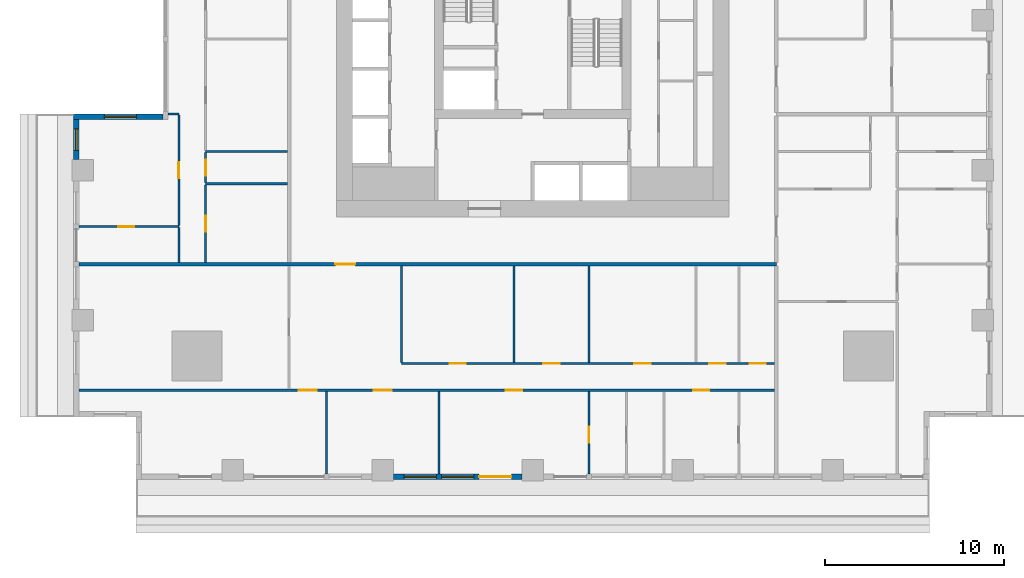
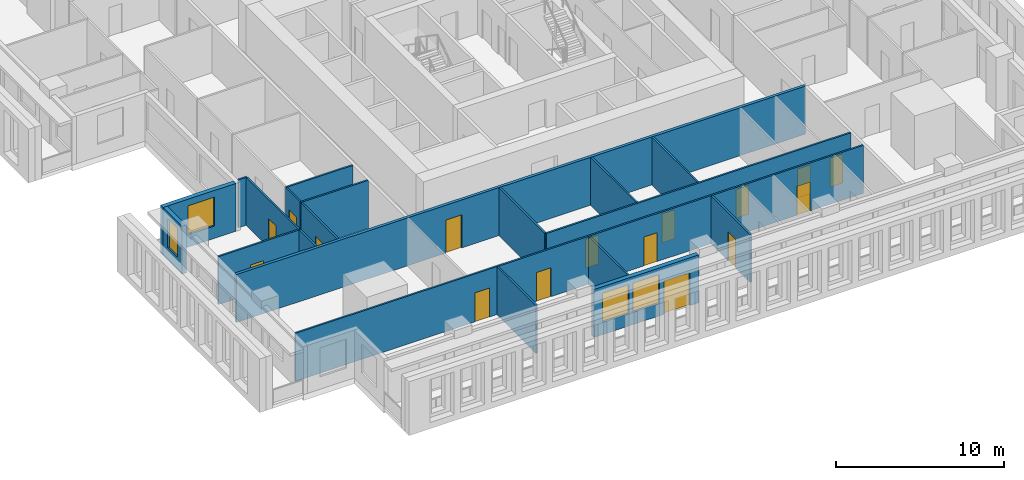
# One storey, part 2 of 14: 20 walls, 16 doors, 4 windows, 20 openings.
"""IFC4 building model written with IfcOpenShell, lengths in metres."""

from ifc_helpers import new_model, si_unit, direction, frame, frame_2d, origin, place, context, subcontext, project, spatial, rectangle, extrude, material, layer, layer_set, type_object, element, fill, save


model = new_model("IFC4")

# Units and contexts
model_context = context("Model", 3, precision=1e-05, world=origin(), true_north=direction((0.0, 1.0)))
body_context = subcontext(model_context, "Body", "Model", "MODEL_VIEW")
ifc_project = project(units=[si_unit("LENGTHUNIT", "METRE"), si_unit("AREAUNIT", "SQUARE_METRE"), si_unit("VOLUMEUNIT", "CUBIC_METRE"), si_unit("PLANEANGLEUNIT", "RADIAN"), si_unit("MASSUNIT", "GRAM", prefix="KILO")], contexts=[model_context])

# Site, building, storey
site_placement = place(None, origin())
site = spatial("IfcSite", under=ifc_project, at=site_placement, CompositionType="ELEMENT")
building_placement = place(site_placement, origin())
building = spatial("IfcBuilding", under=site, at=building_placement, Name="Khepri Terraces", CompositionType="ELEMENT")
storey_placement = place(building_placement, frame((0.0, 0.0, 90.89990234375)))
storey = spatial("IfcBuildingStorey", under=building, at=storey_placement, Name="L21", CompositionType="ELEMENT", Elevation=90.89990234375)

# Wall, opening, door
ifc_material_1 = material(Name="Fire-rated gypsum plasterboard partition, mineral wool")
ifc_layer_1 = layer(ifc_material_1, 0.199951171875, Name="Fire-rated gypsum plasterboard partition, mineral wool")
ifc_layer_set_1 = layer_set([ifc_layer_1], Name="Fire-rated gypsum plasterboard partition, mineral wool")
wall_type_1 = type_object("IfcWallType", Name="WL-CORR-200", PredefinedType="PARTITIONING", material=ifc_layer_set_1)
wall_1_placement = place(storey_placement, frame((-25.419921875, -13.64990234375, 0.0), z_axis=(0.0, 0.0, 1.0), x_axis=(1.0, 0.0, 0.0)))
wall_1 = element("IfcWall", 1, at=wall_1_placement, inside=storey, type_object=wall_type_1, Name="Partition P-019 L21", PredefinedType="PARTITIONING", context=body_context, shape_type="SweptSolid", body=[
    extrude(rectangle(XDim=39.06982421875, YDim=0.199951171875, at=frame_2d((19.534912109375, 0.0))), origin(), (0.0, 0.0, 1.0), 3.47998046875),
])
opening_1_placement = place(wall_1_placement, frame((14.3701171875, 0.0, 0.0)))
opening_1 = element("IfcOpeningElement", 2, at=opening_1_placement, cuts=wall_1, Name="Opening D1", PredefinedType="OPENING", context=body_context, shape_type="SweptSolid", body=[
    extrude(rectangle(XDim=1.10009765625, YDim=2.39990234375, at=frame_2d((0.550048828125, 1.199951171875))), frame((0.0, 0.10986328125, 0.0), z_axis=(0.0, -1.0, 0.0), x_axis=(1.0, 0.0, 0.0)), (0.0, 0.0, 1.0), 0.219970703125),
])
ifc_material_2 = material(Name="Solid-core timber door leaf, flat entrance door", Category="wood")
door_type_1 = type_object("IfcDoorType", Name="DR-ENT-1100", OperationType="NOTDEFINED", PredefinedType="DOOR", material=ifc_material_2)
door_1_placement = place(opening_1_placement, frame((1.10009765625, 0.0, 0.0), z_axis=(0.0, 0.0, 1.0), x_axis=(-1.0, 0.0, 0.0)))
door_1 = element("IfcDoor", 3, at=door_1_placement, inside=storey, type_object=door_type_1, Name="Flat A1 entrance door", OperationType="SINGLE_SWING_RIGHT", OverallHeight=2.39990234375, OverallWidth=1.10009765625, PredefinedType="DOOR", context=body_context, shape_type="SweptSolid", body=[
    extrude(rectangle(XDim=1.10009765625, YDim=2.39990234375, at=frame_2d((0.550048828125, 1.199951171875))), frame((0.0, 0.02490234375, 0.0), z_axis=(0.0, -1.0, 0.0), x_axis=(1.0, 0.0, 0.0)), (0.0, 0.0, 1.0), 0.050048828125),
])
fill(opening_1, door_1)

# Wall, opening, window
ifc_material_3 = material(Name="Precast concrete C50/60 warm stone", Category="masonry")
ifc_layer_2 = layer(ifc_material_3, 0.300048828125, Name="Precast concrete C50/60 warm stone", Category="masonry")
ifc_layer_set_2 = layer_set([ifc_layer_2], Name="Precast concrete C50/60 warm stone")
wall_type_2 = type_object("IfcWallType", Name="WL-EXT-PRECAST-300", PredefinedType="STANDARD", material=ifc_layer_set_2)
wall_2_placement = place(storey_placement, frame((-20.719970703125, -5.39990234375, 0.0), z_axis=(0.0, 0.0, 1.0), x_axis=(-1.0, 0.0, 0.0)))
wall_2 = element("IfcWall", 4, at=wall_2_placement, inside=storey, type_object=wall_type_2, Name="External wall L21 N", PredefinedType="STANDARD", context=body_context, shape_type="SweptSolid", body=[
    extrude(rectangle(XDim=5.0, YDim=0.300048828125, at=frame_2d((2.5, 0.0))), origin(), (0.0, 0.0, 1.0), 3.47998046875),
])
opening_2_placement = place(wall_2_placement, frame((1.47998046875, 0.0, 0.89990234375)))
opening_2 = element("IfcOpeningElement", 5, at=opening_2_placement, cuts=wall_2, Name="Opening W1", PredefinedType="OPENING", context=body_context, shape_type="SweptSolid", body=[
    extrude(rectangle(XDim=1.800048828125, YDim=2.10009765625, at=frame_2d((0.89990234375, 1.050048828125))), frame((0.0, 0.16015625, 0.0), z_axis=(0.0, -1.0, 0.0), x_axis=(1.0, 0.0, 0.0)), (0.0, 0.0, 1.0), 0.320068359375),
])
ifc_material_4 = material(Name="Clear glass", Category="glass")
window_type_1 = type_object("IfcWindowType", Name="WIN-RES-1800x2100", PartitioningType="SINGLE_PANEL", PredefinedType="WINDOW", material=ifc_material_4)
window_1_placement = place(opening_2_placement, origin())
window_1 = element("IfcWindow", 6, at=window_1_placement, inside=storey, type_object=window_type_1, Name="Window L21 N", OverallHeight=2.10009765625, OverallWidth=1.800048828125, PartitioningType="SINGLE_PANEL", PredefinedType="WINDOW", context=body_context, shape_type="SweptSolid", body=[
    extrude(rectangle(XDim=1.800048828125, YDim=2.10009765625, at=frame_2d((0.89990234375, 1.050048828125))), frame((0.0, 0.030029296875, 0.0), z_axis=(0.0, -1.0, 0.0), x_axis=(1.0, 0.0, 0.0)), (0.0, 0.0, 1.0), 0.06005859375),
])
fill(opening_2, window_1)

wall_3_placement = place(storey_placement, frame((-25.570068359375, -5.550048828125, 0.0), z_axis=(0.0, 0.0, 1.0), x_axis=(0.0, -1.0, 0.0)))
wall_3 = element("IfcWall", 7, at=wall_3_placement, inside=storey, type_object=wall_type_2, Name="External wall L21 W", PredefinedType="STANDARD", context=body_context, shape_type="SweptSolid", body=[
    extrude(rectangle(XDim=2.25, YDim=0.300048828125, at=frame_2d((1.125, 0.0))), origin(), (0.0, 0.0, 1.0), 3.47998046875),
])
opening_3_placement = place(wall_3_placement, frame((0.52490234375, 0.0, 0.89990234375)))
opening_3 = element("IfcOpeningElement", 8, at=opening_3_placement, cuts=wall_3, Name="Opening W4", PredefinedType="OPENING", context=body_context, shape_type="SweptSolid", body=[
    extrude(rectangle(XDim=1.199951171875, YDim=2.10009765625, at=frame_2d((0.60009765625, 1.050048828125))), frame((0.0, 0.16015625, 0.0), z_axis=(0.0, -1.0, 0.0), x_axis=(1.0, 0.0, 0.0)), (0.0, 0.0, 1.0), 0.320068359375),
])
window_type_2 = type_object("IfcWindowType", Name="WIN-RES-1200x2100", PartitioningType="SINGLE_PANEL", PredefinedType="WINDOW", material=ifc_material_4)
window_2_placement = place(opening_3_placement, origin())
window_2 = element("IfcWindow", 9, at=window_2_placement, inside=storey, type_object=window_type_2, Name="Window L21 W", OverallHeight=2.10009765625, OverallWidth=1.199951171875, PartitioningType="SINGLE_PANEL", PredefinedType="WINDOW", context=body_context, shape_type="SweptSolid", body=[
    extrude(rectangle(XDim=1.199951171875, YDim=2.10009765625, at=frame_2d((0.60009765625, 1.050048828125))), frame((0.0, 0.030029296875, 0.0), z_axis=(0.0, -1.0, 0.0), x_axis=(1.0, 0.0, 0.0)), (0.0, 0.0, 1.0), 0.06005859375),
])
fill(opening_3, window_2)

# Wall, openings, door, windows
wall_4_placement = place(storey_placement, frame((-7.800048828125, -25.570068359375, 0.0), z_axis=(0.0, 0.0, 1.0), x_axis=(1.0, 0.0, 0.0)))
wall_4 = element("IfcWall", 10, at=wall_4_placement, inside=storey, type_object=wall_type_2, Name="External wall L21 S", PredefinedType="STANDARD", context=body_context, shape_type="SweptSolid", body=[
    extrude(rectangle(XDim=7.199951171875, YDim=0.300048828125, at=frame_2d((3.60009765625, 0.0))), origin(), (0.0, 0.0, 1.0), 3.47998046875),
])
opening_4_placement = place(wall_4_placement, frame((0.60009765625, 0.0, 0.89990234375)))
opening_4 = element("IfcOpeningElement", 11, at=opening_4_placement, cuts=wall_4, Name="Opening W1", PredefinedType="OPENING", context=body_context, shape_type="SweptSolid", body=[
    extrude(rectangle(XDim=1.800048828125, YDim=2.10009765625, at=frame_2d((0.89990234375, 1.050048828125))), frame((0.0, 0.16015625, 0.0), z_axis=(0.0, -1.0, 0.0), x_axis=(1.0, 0.0, 0.0)), (0.0, 0.0, 1.0), 0.320068359375),
])
opening_5_placement = place(wall_4_placement, frame((2.699951171875, 0.0, 0.89990234375)))
opening_5 = element("IfcOpeningElement", 12, at=opening_5_placement, cuts=wall_4, Name="Opening W1", PredefinedType="OPENING", context=body_context, shape_type="SweptSolid", body=[
    extrude(rectangle(XDim=1.800048828125, YDim=2.10009765625, at=frame_2d((0.89990234375, 1.050048828125))), frame((0.0, 0.16015625, 0.0), z_axis=(0.0, -1.0, 0.0), x_axis=(1.0, 0.0, 0.0)), (0.0, 0.0, 1.0), 0.320068359375),
])
opening_6_placement = place(wall_4_placement, frame((4.800048828125, 0.0, 0.0)))
opening_6 = element("IfcOpeningElement", 13, at=opening_6_placement, cuts=wall_4, Name="Opening ED-L21-20", PredefinedType="OPENING", context=body_context, shape_type="SweptSolid", body=[
    extrude(rectangle(XDim=1.800048828125, YDim=2.39990234375, at=frame_2d((0.89990234375, 1.199951171875))), frame((0.0, 0.16015625, 0.0), z_axis=(0.0, -1.0, 0.0), x_axis=(1.0, 0.0, 0.0)), (0.0, 0.0, 1.0), 0.320068359375),
])
ifc_material_5 = material(Name="Anodised aluminium bronze glazed door", Category="aluminium")
door_type_2 = type_object("IfcDoorType", Name="DR-BAL-SLIDE-1800x2400", OperationType="NOTDEFINED", PredefinedType="DOOR", material=ifc_material_5)
door_2_placement = place(opening_6_placement, origin())
door_2 = element("IfcDoor", 14, at=door_2_placement, inside=storey, type_object=door_type_2, Name="Balcony door L21 S", OperationType="SLIDING_TO_RIGHT", OverallHeight=2.39990234375, OverallWidth=1.800048828125, PredefinedType="DOOR", context=body_context, shape_type="SweptSolid", body=[
    extrude(rectangle(XDim=1.800048828125, YDim=2.39990234375, at=frame_2d((0.89990234375, 1.199951171875))), frame((0.0, 0.02490234375, 0.0), z_axis=(0.0, -1.0, 0.0), x_axis=(1.0, 0.0, 0.0)), (0.0, 0.0, 1.0), 0.050048828125),
])
fill(opening_6, door_2)
window_3_placement = place(opening_4_placement, origin())
window_3 = element("IfcWindow", 15, at=window_3_placement, inside=storey, type_object=window_type_1, Name="Window L21 S", OverallHeight=2.10009765625, OverallWidth=1.800048828125, PartitioningType="SINGLE_PANEL", PredefinedType="WINDOW", context=body_context, shape_type="SweptSolid", body=[
    extrude(rectangle(XDim=1.800048828125, YDim=2.10009765625, at=frame_2d((0.89990234375, 1.050048828125))), frame((0.0, 0.030029296875, 0.0), z_axis=(0.0, -1.0, 0.0), x_axis=(1.0, 0.0, 0.0)), (0.0, 0.0, 1.0), 0.06005859375),
])
fill(opening_4, window_3)
window_4_placement = place(opening_5_placement, origin())
window_4 = element("IfcWindow", 16, at=window_4_placement, inside=storey, type_object=window_type_1, Name="Window L21 S", OverallHeight=2.10009765625, OverallWidth=1.800048828125, PartitioningType="SINGLE_PANEL", PredefinedType="WINDOW", context=body_context, shape_type="SweptSolid", body=[
    extrude(rectangle(XDim=1.800048828125, YDim=2.10009765625, at=frame_2d((0.89990234375, 1.050048828125))), frame((0.0, 0.030029296875, 0.0), z_axis=(0.0, -1.0, 0.0), x_axis=(1.0, 0.0, 0.0)), (0.0, 0.0, 1.0), 0.06005859375),
])
fill(opening_5, window_4)

# Walls
ifc_material_6 = material(Name="Gypsum plasterboard partition")
ifc_layer_3 = layer(ifc_material_6, 0.1201171875, Name="Gypsum plasterboard partition")
ifc_layer_set_3 = layer_set([ifc_layer_3], Name="Gypsum plasterboard partition")
wall_type_3 = type_object("IfcWallType", Name="WL-PART-120", PredefinedType="PARTITIONING", material=ifc_layer_set_3)
for number, where, z_axis, x_axis, name in (
    (17, (-11.550048828125, -25.419921875, 0.0), (0.0, 0.0, 1.0), (0.0, 1.0, 0.0), "Partition P-001 L21"),
    (18, (-5.25, -25.419921875, 0.0), (0.0, 0.0, 1.0), (0.0, 1.0, 0.0), "Partition P-002 L21"),
):
    element("IfcWall", number, at=place(storey_placement, frame(where, z_axis=z_axis, x_axis=x_axis)), inside=storey, type_object=wall_type_3, Name=name, PredefinedType="PARTITIONING", context=body_context, shape_type="SweptSolid", body=[
        extrude(rectangle(XDim=4.639892578125, YDim=0.1201171875, at=frame_2d((2.31982421875, 0.0))), origin(), (0.0, 0.0, 1.0), 3.47998046875),
    ])

# Wall, opening, door
wall_5_placement = place(storey_placement, frame((3.14990234375, -25.419921875, 0.0), z_axis=(0.0, 0.0, 1.0), x_axis=(0.0, 1.0, 0.0)))
wall_5 = element("IfcWall", 19, at=wall_5_placement, inside=storey, type_object=wall_type_3, Name="Partition P-003 L21", PredefinedType="PARTITIONING", context=body_context, shape_type="SweptSolid", body=[
    extrude(rectangle(XDim=4.639892578125, YDim=0.1201171875, at=frame_2d((2.31982421875, 0.0))), origin(), (0.0, 0.0, 1.0), 3.47998046875),
])
opening_7_placement = place(wall_5_placement, frame((1.75, 0.0, 0.0)))
opening_7 = element("IfcOpeningElement", 20, at=opening_7_placement, cuts=wall_5, Name="Opening D3", PredefinedType="OPENING", context=body_context, shape_type="SweptSolid", body=[
    extrude(rectangle(XDim=0.89990234375, YDim=2.10009765625, at=frame_2d((0.449951171875, 1.050048828125))), frame((0.0, 0.070068359375, 0.0), z_axis=(0.0, -1.0, 0.0), x_axis=(1.0, 0.0, 0.0)), (0.0, 0.0, 1.0), 0.14013671875),
])
ifc_material_7 = material(Name="Timber door leaf", Category="wood")
door_type_3 = type_object("IfcDoorType", Name="DR-INT-900", OperationType="NOTDEFINED", PredefinedType="DOOR", material=ifc_material_7)
door_3_placement = place(opening_7_placement, frame((0.89990234375, 0.0, 0.0), z_axis=(0.0, 0.0, 1.0), x_axis=(-1.0, 0.0, 0.0)))
door_3 = element("IfcDoor", 21, at=door_3_placement, inside=storey, type_object=door_type_3, Name="Door Dressing Room", OperationType="SINGLE_SWING_RIGHT", OverallHeight=2.10009765625, OverallWidth=0.89990234375, PredefinedType="DOOR", context=body_context, shape_type="SweptSolid", body=[
    extrude(rectangle(XDim=0.89990234375, YDim=2.10009765625, at=frame_2d((0.449951171875, 1.050048828125))), frame((0.0, 0.02490234375, 0.0), z_axis=(0.0, -1.0, 0.0), x_axis=(1.0, 0.0, 0.0)), (0.0, 0.0, 1.0), 0.050048828125),
])
fill(opening_7, door_3)

# Wall, openings, doors
wall_6_placement = place(storey_placement, frame((-25.419921875, -20.719970703125, 0.0), z_axis=(0.0, 0.0, 1.0), x_axis=(1.0, 0.0, 0.0)))
wall_6 = element("IfcWall", 22, at=wall_6_placement, inside=storey, type_object=wall_type_3, Name="Partition P-009 L21", PredefinedType="PARTITIONING", context=body_context, shape_type="SweptSolid", body=[
    extrude(rectangle(XDim=38.969970703125, YDim=0.1201171875, at=frame_2d((19.48486328125, 0.0))), origin(), (0.0, 0.0, 1.0), 3.47998046875),
])
opening_8_placement = place(wall_6_placement, frame((12.320068359375, 0.0, 0.0)))
opening_8 = element("IfcOpeningElement", 23, at=opening_8_placement, cuts=wall_6, Name="Opening D2", PredefinedType="OPENING", context=body_context, shape_type="SweptSolid", body=[
    extrude(rectangle(XDim=1.0, YDim=2.10009765625, at=frame_2d((0.5, 1.050048828125))), frame((0.0, 0.070068359375, 0.0), z_axis=(0.0, -1.0, 0.0), x_axis=(1.0, 0.0, 0.0)), (0.0, 0.0, 1.0), 0.14013671875),
])
opening_9_placement = place(wall_6_placement, frame((16.52001953125, 0.0, 0.0)))
opening_9 = element("IfcOpeningElement", 24, at=opening_9_placement, cuts=wall_6, Name="Opening D2", PredefinedType="OPENING", context=body_context, shape_type="SweptSolid", body=[
    extrude(rectangle(XDim=1.0, YDim=2.10009765625, at=frame_2d((0.5, 1.050048828125))), frame((0.0, 0.070068359375, 0.0), z_axis=(0.0, -1.0, 0.0), x_axis=(1.0, 0.0, 0.0)), (0.0, 0.0, 1.0), 0.14013671875),
])
opening_10_placement = place(wall_6_placement, frame((23.919921875, 0.0, 0.0)))
opening_10 = element("IfcOpeningElement", 25, at=opening_10_placement, cuts=wall_6, Name="Opening D3", PredefinedType="OPENING", context=body_context, shape_type="SweptSolid", body=[
    extrude(rectangle(XDim=0.89990234375, YDim=2.10009765625, at=frame_2d((0.449951171875, 1.050048828125))), frame((0.0, 0.070068359375, 0.0), z_axis=(0.0, -1.0, 0.0), x_axis=(1.0, 0.0, 0.0)), (0.0, 0.0, 1.0), 0.14013671875),
])
opening_11_placement = place(wall_6_placement, frame((34.419921875, 0.0, 0.0)))
opening_11 = element("IfcOpeningElement", 26, at=opening_11_placement, cuts=wall_6, Name="Opening D3", PredefinedType="OPENING", context=body_context, shape_type="SweptSolid", body=[
    extrude(rectangle(XDim=0.89990234375, YDim=2.10009765625, at=frame_2d((0.449951171875, 1.050048828125))), frame((0.0, 0.070068359375, 0.0), z_axis=(0.0, -1.0, 0.0), x_axis=(1.0, 0.0, 0.0)), (0.0, 0.0, 1.0), 0.14013671875),
])
ifc_material_8 = material(Name="Timber door leaf, living room door", Category="wood")
door_type_4 = type_object("IfcDoorType", Name="DR-INT-1000", OperationType="NOTDEFINED", PredefinedType="DOOR", material=ifc_material_8)
door_4_placement = place(opening_8_placement, frame((1.0, 0.0, 0.0), z_axis=(0.0, 0.0, 1.0), x_axis=(-1.0, 0.0, 0.0)))
door_4 = element("IfcDoor", 27, at=door_4_placement, inside=storey, type_object=door_type_4, Name="Door Living Room", OperationType="SINGLE_SWING_RIGHT", OverallHeight=2.10009765625, OverallWidth=1.0, PredefinedType="DOOR", context=body_context, shape_type="SweptSolid", body=[
    extrude(rectangle(XDim=1.0, YDim=2.10009765625, at=frame_2d((0.5, 1.050048828125))), frame((0.0, 0.02490234375, 0.0), z_axis=(0.0, -1.0, 0.0), x_axis=(1.0, 0.0, 0.0)), (0.0, 0.0, 1.0), 0.050048828125),
])
fill(opening_8, door_4)
door_5_placement = place(opening_9_placement, frame((1.0, 0.0, 0.0), z_axis=(0.0, 0.0, 1.0), x_axis=(-1.0, 0.0, 0.0)))
door_5 = element("IfcDoor", 28, at=door_5_placement, inside=storey, type_object=door_type_4, Name="Door Dining Room", OperationType="SINGLE_SWING_RIGHT", OverallHeight=2.10009765625, OverallWidth=1.0, PredefinedType="DOOR", context=body_context, shape_type="SweptSolid", body=[
    extrude(rectangle(XDim=1.0, YDim=2.10009765625, at=frame_2d((0.5, 1.050048828125))), frame((0.0, 0.02490234375, 0.0), z_axis=(0.0, -1.0, 0.0), x_axis=(1.0, 0.0, 0.0)), (0.0, 0.0, 1.0), 0.050048828125),
])
fill(opening_9, door_5)
door_6_placement = place(opening_10_placement, frame((0.89990234375, 0.0, 0.0), z_axis=(0.0, 0.0, 1.0), x_axis=(-1.0, 0.0, 0.0)))
door_6 = element("IfcDoor", 29, at=door_6_placement, inside=storey, type_object=door_type_3, Name="Door Master Bedroom", OperationType="SINGLE_SWING_LEFT", OverallHeight=2.10009765625, OverallWidth=0.89990234375, PredefinedType="DOOR", context=body_context, shape_type="SweptSolid", body=[
    extrude(rectangle(XDim=0.89990234375, YDim=2.10009765625, at=frame_2d((0.449951171875, 1.050048828125))), frame((0.0, 0.02490234375, 0.0), z_axis=(0.0, -1.0, 0.0), x_axis=(1.0, 0.0, 0.0)), (0.0, 0.0, 1.0), 0.050048828125),
])
fill(opening_10, door_6)
door_7_placement = place(opening_11_placement, frame((0.89990234375, 0.0, 0.0), z_axis=(0.0, 0.0, 1.0), x_axis=(-1.0, 0.0, 0.0)))
door_7 = element("IfcDoor", 30, at=door_7_placement, inside=storey, type_object=door_type_3, Name="Door Bedroom", OperationType="SINGLE_SWING_LEFT", OverallHeight=2.10009765625, OverallWidth=0.89990234375, PredefinedType="DOOR", context=body_context, shape_type="SweptSolid", body=[
    extrude(rectangle(XDim=0.89990234375, YDim=2.10009765625, at=frame_2d((0.449951171875, 1.050048828125))), frame((0.0, 0.02490234375, 0.0), z_axis=(0.0, -1.0, 0.0), x_axis=(1.0, 0.0, 0.0)), (0.0, 0.0, 1.0), 0.050048828125),
])
fill(opening_11, door_7)

wall_7_placement = place(storey_placement, frame((-7.35009765625, -19.219970703125, 0.0), z_axis=(0.0, 0.0, 1.0), x_axis=(1.0, 0.0, 0.0)))
wall_7 = element("IfcWall", 31, at=wall_7_placement, inside=storey, type_object=wall_type_3, Name="Partition P-011 L21", PredefinedType="PARTITIONING", context=body_context, shape_type="SweptSolid", body=[
    extrude(rectangle(XDim=20.900146484375, YDim=0.1201171875, at=frame_2d((10.4501953125, 0.0))), origin(), (0.0, 0.0, 1.0), 3.47998046875),
])
opening_12_placement = place(wall_7_placement, frame((2.699951171875, 0.0, 0.0)))
opening_12 = element("IfcOpeningElement", 32, at=opening_12_placement, cuts=wall_7, Name="Opening D3", PredefinedType="OPENING", context=body_context, shape_type="SweptSolid", body=[
    extrude(rectangle(XDim=0.89990234375, YDim=2.10009765625, at=frame_2d((0.449951171875, 1.050048828125))), frame((0.0, 0.070068359375, 0.0), z_axis=(0.0, -1.0, 0.0), x_axis=(1.0, 0.0, 0.0)), (0.0, 0.0, 1.0), 0.14013671875),
])
opening_13_placement = place(wall_7_placement, frame((7.949951171875, 0.0, 0.0)))
opening_13 = element("IfcOpeningElement", 33, at=opening_13_placement, cuts=wall_7, Name="Opening D3", PredefinedType="OPENING", context=body_context, shape_type="SweptSolid", body=[
    extrude(rectangle(XDim=0.89990234375, YDim=2.10009765625, at=frame_2d((0.449951171875, 1.050048828125))), frame((0.0, 0.070068359375, 0.0), z_axis=(0.0, -1.0, 0.0), x_axis=(1.0, 0.0, 0.0)), (0.0, 0.0, 1.0), 0.14013671875),
])
opening_14_placement = place(wall_7_placement, frame((13.050048828125, 0.0, 0.0)))
opening_14 = element("IfcOpeningElement", 34, at=opening_14_placement, cuts=wall_7, Name="Opening D3", PredefinedType="OPENING", context=body_context, shape_type="SweptSolid", body=[
    extrude(rectangle(XDim=0.89990234375, YDim=2.10009765625, at=frame_2d((0.449951171875, 1.050048828125))), frame((0.0, 0.070068359375, 0.0), z_axis=(0.0, -1.0, 0.0), x_axis=(1.0, 0.0, 0.0)), (0.0, 0.0, 1.0), 0.14013671875),
])
opening_15_placement = place(wall_7_placement, frame((17.25, 0.0, 0.0)))
opening_15 = element("IfcOpeningElement", 35, at=opening_15_placement, cuts=wall_7, Name="Opening D4", PredefinedType="OPENING", context=body_context, shape_type="SweptSolid", body=[
    extrude(rectangle(XDim=0.89990234375, YDim=2.10009765625, at=frame_2d((0.449951171875, 1.050048828125))), frame((0.0, 0.070068359375, 0.0), z_axis=(0.0, -1.0, 0.0), x_axis=(1.0, 0.0, 0.0)), (0.0, 0.0, 1.0), 0.14013671875),
])
opening_16_placement = place(wall_7_placement, frame((19.5, 0.0, 0.0)))
opening_16 = element("IfcOpeningElement", 36, at=opening_16_placement, cuts=wall_7, Name="Opening D4", PredefinedType="OPENING", context=body_context, shape_type="SweptSolid", body=[
    extrude(rectangle(XDim=0.89990234375, YDim=2.10009765625, at=frame_2d((0.449951171875, 1.050048828125))), frame((0.0, 0.070068359375, 0.0), z_axis=(0.0, -1.0, 0.0), x_axis=(1.0, 0.0, 0.0)), (0.0, 0.0, 1.0), 0.14013671875),
])
door_8_placement = place(opening_12_placement, origin())
door_8 = element("IfcDoor", 37, at=door_8_placement, inside=storey, type_object=door_type_3, Name="Door Kitchen", OperationType="SINGLE_SWING_LEFT", OverallHeight=2.10009765625, OverallWidth=0.89990234375, PredefinedType="DOOR", context=body_context, shape_type="SweptSolid", body=[
    extrude(rectangle(XDim=0.89990234375, YDim=2.10009765625, at=frame_2d((0.449951171875, 1.050048828125))), frame((0.0, 0.02490234375, 0.0), z_axis=(0.0, -1.0, 0.0), x_axis=(1.0, 0.0, 0.0)), (0.0, 0.0, 1.0), 0.050048828125),
])
fill(opening_12, door_8)
door_9_placement = place(opening_13_placement, origin())
door_9 = element("IfcDoor", 38, at=door_9_placement, inside=storey, type_object=door_type_3, Name="Door Utility Room", OperationType="SINGLE_SWING_LEFT", OverallHeight=2.10009765625, OverallWidth=0.89990234375, PredefinedType="DOOR", context=body_context, shape_type="SweptSolid", body=[
    extrude(rectangle(XDim=0.89990234375, YDim=2.10009765625, at=frame_2d((0.449951171875, 1.050048828125))), frame((0.0, 0.02490234375, 0.0), z_axis=(0.0, -1.0, 0.0), x_axis=(1.0, 0.0, 0.0)), (0.0, 0.0, 1.0), 0.050048828125),
])
fill(opening_13, door_9)
door_10_placement = place(opening_14_placement, origin())
door_10 = element("IfcDoor", 39, at=door_10_placement, inside=storey, type_object=door_type_3, Name="Door Staff Bedroom", OperationType="SINGLE_SWING_RIGHT", OverallHeight=2.10009765625, OverallWidth=0.89990234375, PredefinedType="DOOR", context=body_context, shape_type="SweptSolid", body=[
    extrude(rectangle(XDim=0.89990234375, YDim=2.10009765625, at=frame_2d((0.449951171875, 1.050048828125))), frame((0.0, 0.02490234375, 0.0), z_axis=(0.0, -1.0, 0.0), x_axis=(1.0, 0.0, 0.0)), (0.0, 0.0, 1.0), 0.050048828125),
])
fill(opening_14, door_10)
ifc_material_9 = material(Name="Timber door leaf, moisture resistant", Category="wood")
door_type_5 = type_object("IfcDoorType", Name="DR-WET-900", OperationType="NOTDEFINED", PredefinedType="DOOR", material=ifc_material_9)
door_11_placement = place(opening_15_placement, origin())
door_11 = element("IfcDoor", 40, at=door_11_placement, inside=storey, type_object=door_type_5, Name="Door Powder Room", OperationType="SINGLE_SWING_RIGHT", OverallHeight=2.10009765625, OverallWidth=0.89990234375, PredefinedType="DOOR", context=body_context, shape_type="SweptSolid", body=[
    extrude(rectangle(XDim=0.89990234375, YDim=2.10009765625, at=frame_2d((0.449951171875, 1.050048828125))), frame((0.0, 0.02490234375, 0.0), z_axis=(0.0, -1.0, 0.0), x_axis=(1.0, 0.0, 0.0)), (0.0, 0.0, 1.0), 0.050048828125),
])
fill(opening_15, door_11)
door_12_placement = place(opening_16_placement, origin())
door_12 = element("IfcDoor", 41, at=door_12_placement, inside=storey, type_object=door_type_5, Name="Door Guest Bathroom", OperationType="SINGLE_SWING_RIGHT", OverallHeight=2.10009765625, OverallWidth=0.89990234375, PredefinedType="DOOR", context=body_context, shape_type="SweptSolid", body=[
    extrude(rectangle(XDim=0.89990234375, YDim=2.10009765625, at=frame_2d((0.449951171875, 1.050048828125))), frame((0.0, 0.02490234375, 0.0), z_axis=(0.0, -1.0, 0.0), x_axis=(1.0, 0.0, 0.0)), (0.0, 0.0, 1.0), 0.050048828125),
])
fill(opening_16, door_12)

# Walls
for number, where, z_axis, x_axis, name in (
    (42, (-7.35009765625, -19.159912109375, 0.0), (0.0, 0.0, 1.0), (0.0, 1.0, 0.0), "Partition P-012 L21"),
    (43, (-1.050048828125, -19.159912109375, 0.0), (0.0, 0.0, 1.0), (0.0, 1.0, 0.0), "Partition P-013 L21"),
    (44, (3.14990234375, -19.159912109375, 0.0), (0.0, 0.0, 1.0), (0.0, 1.0, 0.0), "Partition P-014 L21"),
):
    element("IfcWall", number, at=place(storey_placement, frame(where, z_axis=z_axis, x_axis=x_axis)), inside=storey, type_object=wall_type_3, Name=name, PredefinedType="PARTITIONING", context=body_context, shape_type="SweptSolid", body=[
        extrude(rectangle(XDim=5.409912109375, YDim=0.1201171875, at=frame_2d((2.705078125, 0.0))), origin(), (0.0, 0.0, 1.0), 3.47998046875),
    ])
wall_8_placement = place(storey_placement, frame((-19.820068359375, -13.550048828125, 0.0), z_axis=(0.0, 0.0, 1.0), x_axis=(0.0, 1.0, 0.0)))
element("IfcWall", 45, at=wall_8_placement, inside=storey, type_object=wall_type_3, Name="Partition P-022 L21", PredefinedType="PARTITIONING", context=body_context, shape_type="SweptSolid", body=[
    extrude(rectangle(XDim=1.93994140625, YDim=0.1201171875, at=frame_2d((0.969970703125, 0.0))), origin(), (0.0, 0.0, 1.0), 3.47998046875),
])

# Wall, opening, door
wall_9_placement = place(storey_placement, frame((-18.320068359375, -13.550048828125, 0.0), z_axis=(0.0, 0.0, 1.0), x_axis=(0.0, 1.0, 0.0)))
wall_9 = element("IfcWall", 46, at=wall_9_placement, inside=storey, type_object=wall_type_3, Name="Partition P-023 L21", PredefinedType="PARTITIONING", context=body_context, shape_type="SweptSolid", body=[
    extrude(rectangle(XDim=4.340087890625, YDim=0.1201171875, at=frame_2d((2.169921875, 0.0))), origin(), (0.0, 0.0, 1.0), 3.47998046875),
])
opening_17_placement = place(wall_9_placement, frame((1.699951171875, 0.0, 0.0)))
opening_17 = element("IfcOpeningElement", 47, at=opening_17_placement, cuts=wall_9, Name="Opening D4", PredefinedType="OPENING", context=body_context, shape_type="SweptSolid", body=[
    extrude(rectangle(XDim=0.89990234375, YDim=2.10009765625, at=frame_2d((0.449951171875, 1.050048828125))), frame((0.0, 0.070068359375, 0.0), z_axis=(0.0, -1.0, 0.0), x_axis=(1.0, 0.0, 0.0)), (0.0, 0.0, 1.0), 0.14013671875),
])
door_13_placement = place(opening_17_placement, frame((0.89990234375, 0.0, 0.0), z_axis=(0.0, 0.0, 1.0), x_axis=(-1.0, 0.0, 0.0)))
door_13 = element("IfcDoor", 48, at=door_13_placement, inside=storey, type_object=door_type_5, Name="Door Guest Bathroom", OperationType="SINGLE_SWING_RIGHT", OverallHeight=2.10009765625, OverallWidth=0.89990234375, PredefinedType="DOOR", context=body_context, shape_type="SweptSolid", body=[
    extrude(rectangle(XDim=0.89990234375, YDim=2.10009765625, at=frame_2d((0.449951171875, 1.050048828125))), frame((0.0, 0.02490234375, 0.0), z_axis=(0.0, -1.0, 0.0), x_axis=(1.0, 0.0, 0.0)), (0.0, 0.0, 1.0), 0.050048828125),
])
fill(opening_17, door_13)

wall_10_placement = place(storey_placement, frame((-25.419921875, -11.550048828125, 0.0), z_axis=(0.0, 0.0, 1.0), x_axis=(1.0, 0.0, 0.0)))
wall_10 = element("IfcWall", 49, at=wall_10_placement, inside=storey, type_object=wall_type_3, Name="Partition P-026 L21", PredefinedType="PARTITIONING", context=body_context, shape_type="SweptSolid", body=[
    extrude(rectangle(XDim=5.599853515625, YDim=0.1201171875, at=frame_2d((2.7998046875, 0.0))), origin(), (0.0, 0.0, 1.0), 3.47998046875),
])
opening_18_placement = place(wall_10_placement, frame((2.199951171875, 0.0, 0.0)))
opening_18 = element("IfcOpeningElement", 50, at=opening_18_placement, cuts=wall_10, Name="Opening D4", PredefinedType="OPENING", context=body_context, shape_type="SweptSolid", body=[
    extrude(rectangle(XDim=0.89990234375, YDim=2.10009765625, at=frame_2d((0.449951171875, 1.050048828125))), frame((0.0, 0.070068359375, 0.0), z_axis=(0.0, -1.0, 0.0), x_axis=(1.0, 0.0, 0.0)), (0.0, 0.0, 1.0), 0.14013671875),
])
door_14_placement = place(opening_18_placement, frame((0.89990234375, 0.0, 0.0), z_axis=(0.0, 0.0, 1.0), x_axis=(-1.0, 0.0, 0.0)))
door_14 = element("IfcDoor", 51, at=door_14_placement, inside=storey, type_object=door_type_5, Name="Door Bathroom", OperationType="SINGLE_SWING_RIGHT", OverallHeight=2.10009765625, OverallWidth=0.89990234375, PredefinedType="DOOR", context=body_context, shape_type="SweptSolid", body=[
    extrude(rectangle(XDim=0.89990234375, YDim=2.10009765625, at=frame_2d((0.449951171875, 1.050048828125))), frame((0.0, 0.02490234375, 0.0), z_axis=(0.0, -1.0, 0.0), x_axis=(1.0, 0.0, 0.0)), (0.0, 0.0, 1.0), 0.050048828125),
])
fill(opening_18, door_14)

wall_11_placement = place(storey_placement, frame((-19.820068359375, -11.489990234375, 0.0), z_axis=(0.0, 0.0, 1.0), x_axis=(0.0, 1.0, 0.0)))
wall_11 = element("IfcWall", 52, at=wall_11_placement, inside=storey, type_object=wall_type_3, Name="Partition P-027 L21", PredefinedType="PARTITIONING", context=body_context, shape_type="SweptSolid", body=[
    extrude(rectangle(XDim=6.179931640625, YDim=0.1201171875, at=frame_2d((3.08984375, 0.0))), origin(), (0.0, 0.0, 1.0), 3.47998046875),
])
opening_19_placement = place(wall_11_placement, frame((2.639892578125, 0.0, 0.0)))
opening_19 = element("IfcOpeningElement", 53, at=opening_19_placement, cuts=wall_11, Name="Opening D3", PredefinedType="OPENING", context=body_context, shape_type="SweptSolid", body=[
    extrude(rectangle(XDim=0.89990234375, YDim=2.10009765625, at=frame_2d((0.449951171875, 1.050048828125))), frame((0.0, 0.070068359375, 0.0), z_axis=(0.0, -1.0, 0.0), x_axis=(1.0, 0.0, 0.0)), (0.0, 0.0, 1.0), 0.14013671875),
])
door_15_placement = place(opening_19_placement, origin())
door_15 = element("IfcDoor", 54, at=door_15_placement, inside=storey, type_object=door_type_3, Name="Door Bedroom", OperationType="SINGLE_SWING_LEFT", OverallHeight=2.10009765625, OverallWidth=0.89990234375, PredefinedType="DOOR", context=body_context, shape_type="SweptSolid", body=[
    extrude(rectangle(XDim=0.89990234375, YDim=2.10009765625, at=frame_2d((0.449951171875, 1.050048828125))), frame((0.0, 0.02490234375, 0.0), z_axis=(0.0, -1.0, 0.0), x_axis=(1.0, 0.0, 0.0)), (0.0, 0.0, 1.0), 0.050048828125),
])
fill(opening_19, door_15)

# Wall
wall_12_placement = place(storey_placement, frame((-18.320068359375, -9.14990234375, 0.0), z_axis=(0.0, 0.0, 1.0), x_axis=(1.0, 0.0, 0.0)))
element("IfcWall", 55, at=wall_12_placement, inside=storey, type_object=wall_type_3, Name="Partition P-032 L21", PredefinedType="PARTITIONING", context=body_context, shape_type="SweptSolid", body=[
    extrude(rectangle(XDim=4.570068359375, YDim=0.1201171875, at=frame_2d((2.28515625, 0.0))), origin(), (0.0, 0.0, 1.0), 3.47998046875),
])

# Wall, opening, door
wall_13_placement = place(storey_placement, frame((-18.320068359375, -9.090087890625, 0.0), z_axis=(0.0, 0.0, 1.0), x_axis=(0.0, 1.0, 0.0)))
wall_13 = element("IfcWall", 56, at=wall_13_placement, inside=storey, type_object=wall_type_3, Name="Partition P-033 L21", PredefinedType="PARTITIONING", context=body_context, shape_type="SweptSolid", body=[
    extrude(rectangle(XDim=1.68017578125, YDim=0.1201171875, at=frame_2d((0.840087890625, 0.0))), origin(), (0.0, 0.0, 1.0), 3.47998046875),
])
opening_20_placement = place(wall_13_placement, frame((0.389892578125, 0.0, 0.0)))
opening_20 = element("IfcOpeningElement", 57, at=opening_20_placement, cuts=wall_13, Name="Opening D4", PredefinedType="OPENING", context=body_context, shape_type="SweptSolid", body=[
    extrude(rectangle(XDim=0.89990234375, YDim=2.10009765625, at=frame_2d((0.449951171875, 1.050048828125))), frame((0.0, 0.070068359375, 0.0), z_axis=(0.0, -1.0, 0.0), x_axis=(1.0, 0.0, 0.0)), (0.0, 0.0, 1.0), 0.14013671875),
])
door_16_placement = place(opening_20_placement, frame((0.89990234375, 0.0, 0.0), z_axis=(0.0, 0.0, 1.0), x_axis=(-1.0, 0.0, 0.0)))
door_16 = element("IfcDoor", 58, at=door_16_placement, inside=storey, type_object=door_type_5, Name="Door Powder Room", OperationType="SINGLE_SWING_LEFT", OverallHeight=2.10009765625, OverallWidth=0.89990234375, PredefinedType="DOOR", context=body_context, shape_type="SweptSolid", body=[
    extrude(rectangle(XDim=0.89990234375, YDim=2.10009765625, at=frame_2d((0.449951171875, 1.050048828125))), frame((0.0, 0.02490234375, 0.0), z_axis=(0.0, -1.0, 0.0), x_axis=(1.0, 0.0, 0.0)), (0.0, 0.0, 1.0), 0.050048828125),
])
fill(opening_20, door_16)

# Walls
wall_14_placement = place(storey_placement, frame((-18.320068359375, -7.35009765625, 0.0), z_axis=(0.0, 0.0, 1.0), x_axis=(1.0, 0.0, 0.0)))
element("IfcWall", 59, at=wall_14_placement, inside=storey, type_object=wall_type_3, Name="Partition P-034 L21", PredefinedType="PARTITIONING", context=body_context, shape_type="SweptSolid", body=[
    extrude(rectangle(XDim=4.570068359375, YDim=0.1201171875, at=frame_2d((2.28515625, 0.0))), origin(), (0.0, 0.0, 1.0), 3.47998046875),
])
wall_15_placement = place(storey_placement, frame((-20.419921875, -5.25, 0.0), z_axis=(0.0, 0.0, 1.0), x_axis=(1.0, 0.0, 0.0)))
element("IfcWall", 60, at=wall_15_placement, inside=storey, type_object=wall_type_3, Name="Partition P-040 L21", PredefinedType="PARTITIONING", context=body_context, shape_type="SweptSolid", body=[
    extrude(rectangle(XDim=0.599853515625, YDim=0.1201171875, at=frame_2d((0.2998046875, 0.0))), origin(), (0.0, 0.0, 1.0), 3.47998046875),
])

save(model, "model.ifc")
